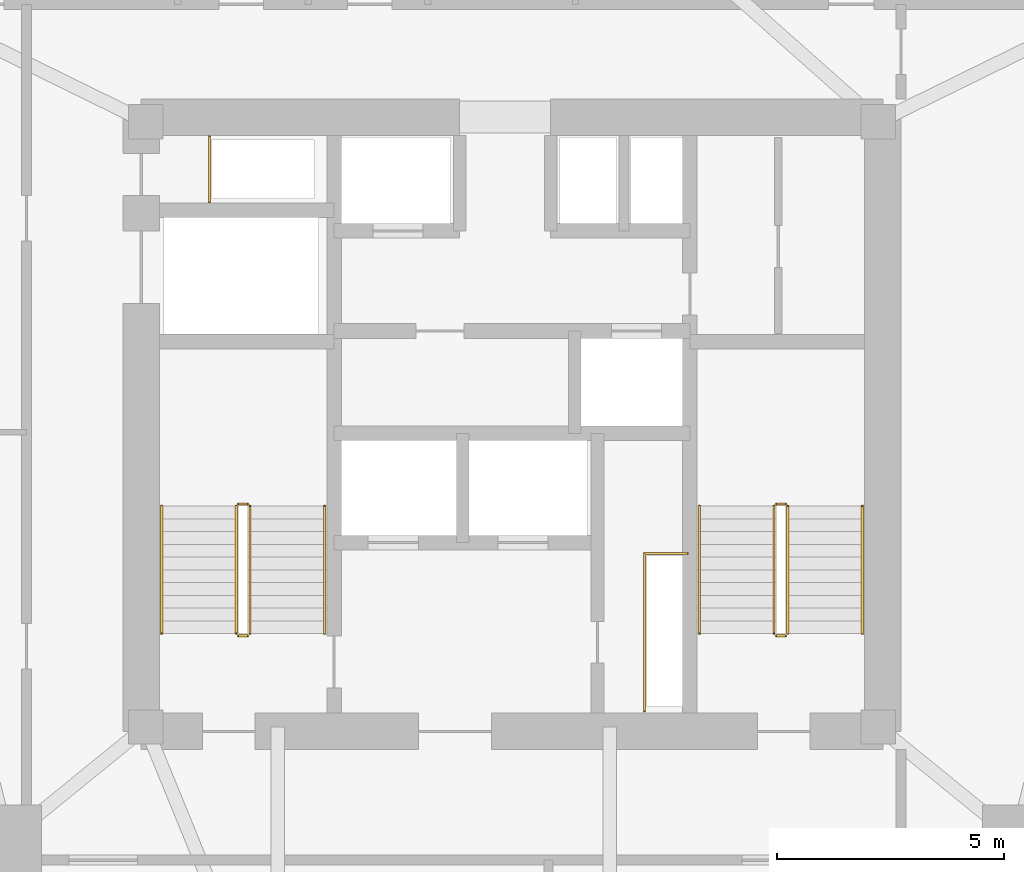
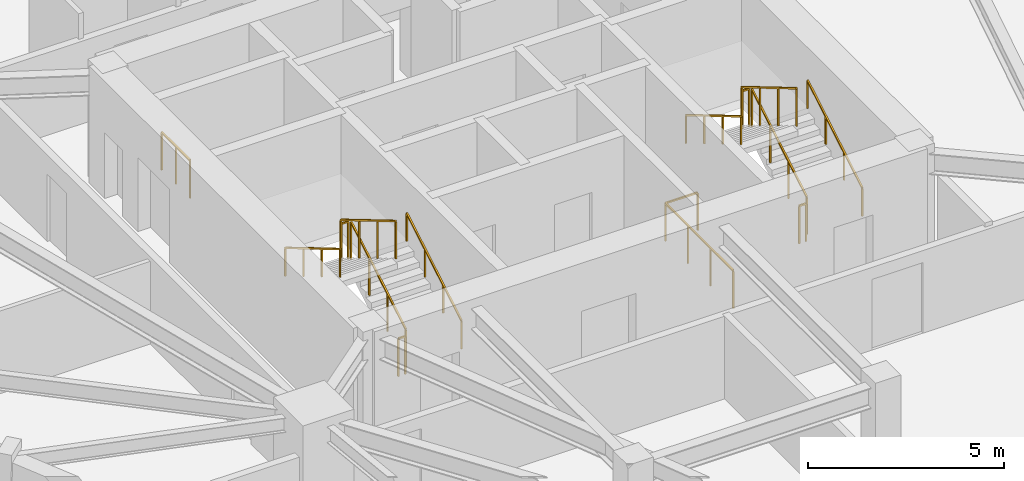
# One storey, part 14 of 14: 14 railings.
"""IFC4 building model written with IfcOpenShell, lengths in metres."""

from ifc_helpers import new_model, si_unit, direction, frame, origin, origin_2d, place, context, subcontext, project, spatial, rectangle, extrude, material, type_object, element, save


model = new_model("IFC4")

# Units and contexts
model_context = context("Model", 3, precision=1e-05, world=origin(), true_north=direction((0.0, 1.0)))
body_context = subcontext(model_context, "Body", "Model", "MODEL_VIEW")
ifc_project = project(units=[si_unit("LENGTHUNIT", "METRE"), si_unit("AREAUNIT", "SQUARE_METRE"), si_unit("VOLUMEUNIT", "CUBIC_METRE"), si_unit("PLANEANGLEUNIT", "RADIAN"), si_unit("MASSUNIT", "GRAM", prefix="KILO")], contexts=[model_context])

# Site, building, storey
site_placement = place(None, origin())
site = spatial("IfcSite", under=ifc_project, at=site_placement, CompositionType="ELEMENT")
building_placement = place(site_placement, origin())
building = spatial("IfcBuilding", under=site, at=building_placement, Name="Talyreon Biosciences Tower", CompositionType="ELEMENT")
storey_placement = place(building_placement, frame((0.0, 0.0, 130.85009765625)))
storey = spatial("IfcBuildingStorey", under=building, at=storey_placement, Name="L34", CompositionType="ELEMENT", Elevation=130.85009765625)

# Railings
ifc_material_1 = material(Name="Brushed stainless-steel tubular handrail", Category="steel")
railing_type_1 = type_object("IfcRailingType", Name="StairWallHandrail_900", PredefinedType="HANDRAIL", material=ifc_material_1)
railing_1_placement = place(storey_placement, frame((61.8798828125, 63.39990234375, 0.165771484375)))
element("IfcRailing", 1, at=railing_1_placement, inside=storey, type_object=railing_type_1, Name="L34 ST-1 stair handrail 1", PredefinedType="HANDRAIL", context=body_context, shape_type="SweptSolid", body=[
    extrude(rectangle(XDim=0.048095703125, YDim=0.048095703125, at=origin_2d()), frame((0.0, 0.0, 0.8759765625), z_axis=(0.0, 0.860306154799, 0.50977771628), x_axis=(-1.0, 0.0, 0.0)), (0.0, 0.0, 1.0), 3.254638671875),
    extrude(rectangle(XDim=0.0419921875, YDim=0.0419921875, at=origin_2d()), origin(), (0.0, 0.0, 1.0), 0.851806640625),
    extrude(rectangle(XDim=0.0419921875, YDim=0.0419921875, at=origin_2d()), frame((0.0, 0.933349609375, 0.552978515625)), (0.0, 0.0, 1.0), 0.851806640625),
    extrude(rectangle(XDim=0.0419921875, YDim=0.0419921875, at=origin_2d()), frame((0.0, 1.86669921875, 1.106201171875)), (0.0, 0.0, 1.0), 0.851806640625),
    extrude(rectangle(XDim=0.0419921875, YDim=0.0419921875, at=origin_2d()), frame((0.0, 2.800048828125, 1.6591796875)), (0.0, 0.0, 1.0), 0.851806640625),
])
railing_2_placement = place(storey_placement, frame((58.300048828125, 66.199951171875, 1.99072265625)))
element("IfcRailing", 2, at=railing_2_placement, inside=storey, type_object=railing_type_1, Name="L34 ST-1 stair handrail 2", PredefinedType="HANDRAIL", context=body_context, shape_type="SweptSolid", body=[
    extrude(rectangle(XDim=0.048095703125, YDim=0.048095703125, at=origin_2d()), frame((0.0, 0.0, 0.8759765625), z_axis=(0.0, -0.860306154799, 0.50977771628), x_axis=(1.0, 0.0, 0.0)), (0.0, 0.0, 1.0), 3.254638671875),
    extrude(rectangle(XDim=0.0419921875, YDim=0.0419921875, at=origin_2d()), origin(), (0.0, 0.0, 1.0), 0.851806640625),
    extrude(rectangle(XDim=0.0419921875, YDim=0.0419921875, at=origin_2d()), frame((0.0, -0.933349609375, 0.552978515625)), (0.0, 0.0, 1.0), 0.851806640625),
    extrude(rectangle(XDim=0.0419921875, YDim=0.0419921875, at=origin_2d()), frame((0.0, -1.86669921875, 1.106201171875)), (0.0, 0.0, 1.0), 0.851806640625),
    extrude(rectangle(XDim=0.0419921875, YDim=0.0419921875, at=origin_2d()), frame((0.0, -2.800048828125, 1.6591796875)), (0.0, 0.0, 1.0), 0.851806640625),
])
railing_3_placement = place(storey_placement, frame((73.699951171875, 63.39990234375, 0.165771484375)))
element("IfcRailing", 3, at=railing_3_placement, inside=storey, type_object=railing_type_1, Name="L34 ST-2 stair handrail 1", PredefinedType="HANDRAIL", context=body_context, shape_type="SweptSolid", body=[
    extrude(rectangle(XDim=0.048095703125, YDim=0.048095703125, at=origin_2d()), frame((0.0, 0.0, 0.8759765625), z_axis=(0.0, 0.860306154799, 0.50977771628), x_axis=(-1.0, 0.0, 0.0)), (0.0, 0.0, 1.0), 3.254638671875),
    extrude(rectangle(XDim=0.0419921875, YDim=0.0419921875, at=origin_2d()), origin(), (0.0, 0.0, 1.0), 0.851806640625),
    extrude(rectangle(XDim=0.0419921875, YDim=0.0419921875, at=origin_2d()), frame((0.0, 0.933349609375, 0.552978515625)), (0.0, 0.0, 1.0), 0.851806640625),
    extrude(rectangle(XDim=0.0419921875, YDim=0.0419921875, at=origin_2d()), frame((0.0, 1.86669921875, 1.106201171875)), (0.0, 0.0, 1.0), 0.851806640625),
    extrude(rectangle(XDim=0.0419921875, YDim=0.0419921875, at=origin_2d()), frame((0.0, 2.800048828125, 1.6591796875)), (0.0, 0.0, 1.0), 0.851806640625),
])
railing_4_placement = place(storey_placement, frame((70.1201171875, 66.199951171875, 1.99072265625)))
element("IfcRailing", 4, at=railing_4_placement, inside=storey, type_object=railing_type_1, Name="L34 ST-2 stair handrail 2", PredefinedType="HANDRAIL", context=body_context, shape_type="SweptSolid", body=[
    extrude(rectangle(XDim=0.048095703125, YDim=0.048095703125, at=origin_2d()), frame((0.0, 0.0, 0.8759765625), z_axis=(0.0, -0.860306154799, 0.50977771628), x_axis=(1.0, 0.0, 0.0)), (0.0, 0.0, 1.0), 3.254638671875),
    extrude(rectangle(XDim=0.0419921875, YDim=0.0419921875, at=origin_2d()), origin(), (0.0, 0.0, 1.0), 0.851806640625),
    extrude(rectangle(XDim=0.0419921875, YDim=0.0419921875, at=origin_2d()), frame((0.0, -0.933349609375, 0.552978515625)), (0.0, 0.0, 1.0), 0.851806640625),
    extrude(rectangle(XDim=0.0419921875, YDim=0.0419921875, at=origin_2d()), frame((0.0, -1.86669921875, 1.106201171875)), (0.0, 0.0, 1.0), 0.851806640625),
    extrude(rectangle(XDim=0.0419921875, YDim=0.0419921875, at=origin_2d()), frame((0.0, -2.800048828125, 1.6591796875)), (0.0, 0.0, 1.0), 0.851806640625),
])
ifc_material_2 = material(Name="Painted galvanised steel post-and-rail balustrade", Category="steel")
railing_type_2 = type_object("IfcRailingType", Name="TerraceStairGuard_1200", PredefinedType="GUARDRAIL", material=ifc_material_2)
railing_5_placement = place(storey_placement, frame((60.239990234375, 63.39990234375, 0.165771484375)))
element("IfcRailing", 5, at=railing_5_placement, inside=storey, type_object=railing_type_2, Name="L34 ST-1 stair guard 1", PredefinedType="GUARDRAIL", context=body_context, shape_type="SweptSolid", body=[
    extrude(rectangle(XDim=0.048095703125, YDim=0.048095703125, at=origin_2d()), frame((0.0, 0.0, 1.17578125), z_axis=(0.0, 0.860306154799, 0.50977771628), x_axis=(-1.0, 0.0, 0.0)), (0.0, 0.0, 1.0), 3.254638671875),
    extrude(rectangle(XDim=0.0419921875, YDim=0.0419921875, at=origin_2d()), origin(), (0.0, 0.0, 1.0), 1.15185546875),
    extrude(rectangle(XDim=0.0419921875, YDim=0.0419921875, at=origin_2d()), frame((0.0, 0.933349609375, 0.552978515625)), (0.0, 0.0, 1.0), 1.15185546875),
    extrude(rectangle(XDim=0.0419921875, YDim=0.0419921875, at=origin_2d()), frame((0.0, 1.86669921875, 1.106201171875)), (0.0, 0.0, 1.0), 1.15185546875),
    extrude(rectangle(XDim=0.0419921875, YDim=0.0419921875, at=origin_2d()), frame((0.0, 2.800048828125, 1.6591796875)), (0.0, 0.0, 1.0), 1.15185546875),
])
railing_6_placement = place(storey_placement, frame((60.18994140625, 66.25, 1.824951171875)))
element("IfcRailing", 6, at=railing_6_placement, inside=storey, type_object=railing_type_2, Name="L34 ST-1 stair guard 2", PredefinedType="GUARDRAIL", context=body_context, shape_type="SweptSolid", body=[
    extrude(rectangle(XDim=0.048095703125, YDim=0.048095703125, at=origin_2d()), frame((0.0, 0.0, 1.17578125), z_axis=(-1.0, 0.0, 0.0), x_axis=(0.0, -1.0, 0.0)), (0.0, 0.0, 1.0), 0.199951171875),
    extrude(rectangle(XDim=0.0419921875, YDim=0.0419921875, at=origin_2d()), origin(), (0.0, 0.0, 1.0), 1.15185546875),
    extrude(rectangle(XDim=0.0419921875, YDim=0.0419921875, at=origin_2d()), frame((-0.199951171875, 0.0, 0.0)), (0.0, 0.0, 1.0), 1.15185546875),
])
railing_7_placement = place(storey_placement, frame((59.93994140625, 66.199951171875, 1.99072265625)))
element("IfcRailing", 7, at=railing_7_placement, inside=storey, type_object=railing_type_2, Name="L34 ST-1 stair guard 3", PredefinedType="GUARDRAIL", context=body_context, shape_type="SweptSolid", body=[
    extrude(rectangle(XDim=0.048095703125, YDim=0.048095703125, at=origin_2d()), frame((0.0, 0.0, 1.17578125), z_axis=(0.0, -0.860306154799, 0.50977771628), x_axis=(1.0, 0.0, 0.0)), (0.0, 0.0, 1.0), 3.254638671875),
    extrude(rectangle(XDim=0.0419921875, YDim=0.0419921875, at=origin_2d()), origin(), (0.0, 0.0, 1.0), 1.15185546875),
    extrude(rectangle(XDim=0.0419921875, YDim=0.0419921875, at=origin_2d()), frame((0.0, -0.933349609375, 0.552978515625)), (0.0, 0.0, 1.0), 1.15185546875),
    extrude(rectangle(XDim=0.0419921875, YDim=0.0419921875, at=origin_2d()), frame((0.0, -1.86669921875, 1.106201171875)), (0.0, 0.0, 1.0), 1.15185546875),
    extrude(rectangle(XDim=0.0419921875, YDim=0.0419921875, at=origin_2d()), frame((0.0, -2.800048828125, 1.6591796875)), (0.0, 0.0, 1.0), 1.15185546875),
])
railing_8_placement = place(storey_placement, frame((60.18994140625, 63.35009765625, 0.0)))
element("IfcRailing", 8, at=railing_8_placement, inside=storey, type_object=railing_type_2, Name="L34 ST-1 stair guard 4", PredefinedType="GUARDRAIL", context=body_context, shape_type="SweptSolid", body=[
    extrude(rectangle(XDim=0.048095703125, YDim=0.048095703125, at=origin_2d()), frame((0.0, 0.0, 1.17578125), z_axis=(-1.0, 0.0, 0.0), x_axis=(0.0, -1.0, 0.0)), (0.0, 0.0, 1.0), 0.199951171875),
    extrude(rectangle(XDim=0.0419921875, YDim=0.0419921875, at=origin_2d()), origin(), (0.0, 0.0, 1.0), 1.15185546875),
    extrude(rectangle(XDim=0.0419921875, YDim=0.0419921875, at=origin_2d()), frame((-0.199951171875, 0.0, 0.0)), (0.0, 0.0, 1.0), 1.15185546875),
])
railing_9_placement = place(storey_placement, frame((72.06005859375, 63.39990234375, 0.165771484375)))
element("IfcRailing", 9, at=railing_9_placement, inside=storey, type_object=railing_type_2, Name="L34 ST-2 stair guard 1", PredefinedType="GUARDRAIL", context=body_context, shape_type="SweptSolid", body=[
    extrude(rectangle(XDim=0.048095703125, YDim=0.048095703125, at=origin_2d()), frame((0.0, 0.0, 1.17578125), z_axis=(0.0, 0.860306154799, 0.50977771628), x_axis=(-1.0, 0.0, 0.0)), (0.0, 0.0, 1.0), 3.254638671875),
    extrude(rectangle(XDim=0.0419921875, YDim=0.0419921875, at=origin_2d()), origin(), (0.0, 0.0, 1.0), 1.15185546875),
    extrude(rectangle(XDim=0.0419921875, YDim=0.0419921875, at=origin_2d()), frame((0.0, 0.933349609375, 0.552978515625)), (0.0, 0.0, 1.0), 1.15185546875),
    extrude(rectangle(XDim=0.0419921875, YDim=0.0419921875, at=origin_2d()), frame((0.0, 1.86669921875, 1.106201171875)), (0.0, 0.0, 1.0), 1.15185546875),
    extrude(rectangle(XDim=0.0419921875, YDim=0.0419921875, at=origin_2d()), frame((0.0, 2.800048828125, 1.6591796875)), (0.0, 0.0, 1.0), 1.15185546875),
])
railing_10_placement = place(storey_placement, frame((72.010009765625, 66.25, 1.824951171875)))
element("IfcRailing", 10, at=railing_10_placement, inside=storey, type_object=railing_type_2, Name="L34 ST-2 stair guard 2", PredefinedType="GUARDRAIL", context=body_context, shape_type="SweptSolid", body=[
    extrude(rectangle(XDim=0.048095703125, YDim=0.048095703125, at=origin_2d()), frame((0.0, 0.0, 1.17578125), z_axis=(-1.0, 0.0, 0.0), x_axis=(0.0, -1.0, 0.0)), (0.0, 0.0, 1.0), 0.199951171875),
    extrude(rectangle(XDim=0.0419921875, YDim=0.0419921875, at=origin_2d()), origin(), (0.0, 0.0, 1.0), 1.15185546875),
    extrude(rectangle(XDim=0.0419921875, YDim=0.0419921875, at=origin_2d()), frame((-0.199951171875, 0.0, 0.0)), (0.0, 0.0, 1.0), 1.15185546875),
])
railing_11_placement = place(storey_placement, frame((71.760009765625, 66.199951171875, 1.99072265625)))
element("IfcRailing", 11, at=railing_11_placement, inside=storey, type_object=railing_type_2, Name="L34 ST-2 stair guard 3", PredefinedType="GUARDRAIL", context=body_context, shape_type="SweptSolid", body=[
    extrude(rectangle(XDim=0.048095703125, YDim=0.048095703125, at=origin_2d()), frame((0.0, 0.0, 1.17578125), z_axis=(0.0, -0.860306154799, 0.50977771628), x_axis=(1.0, 0.0, 0.0)), (0.0, 0.0, 1.0), 3.254638671875),
    extrude(rectangle(XDim=0.0419921875, YDim=0.0419921875, at=origin_2d()), origin(), (0.0, 0.0, 1.0), 1.15185546875),
    extrude(rectangle(XDim=0.0419921875, YDim=0.0419921875, at=origin_2d()), frame((0.0, -0.933349609375, 0.552978515625)), (0.0, 0.0, 1.0), 1.15185546875),
    extrude(rectangle(XDim=0.0419921875, YDim=0.0419921875, at=origin_2d()), frame((0.0, -1.86669921875, 1.106201171875)), (0.0, 0.0, 1.0), 1.15185546875),
    extrude(rectangle(XDim=0.0419921875, YDim=0.0419921875, at=origin_2d()), frame((0.0, -2.800048828125, 1.6591796875)), (0.0, 0.0, 1.0), 1.15185546875),
])
railing_12_placement = place(storey_placement, frame((72.010009765625, 63.35009765625, 0.0)))
element("IfcRailing", 12, at=railing_12_placement, inside=storey, type_object=railing_type_2, Name="L34 ST-2 stair guard 4", PredefinedType="GUARDRAIL", context=body_context, shape_type="SweptSolid", body=[
    extrude(rectangle(XDim=0.048095703125, YDim=0.048095703125, at=origin_2d()), frame((0.0, 0.0, 1.17578125), z_axis=(-1.0, 0.0, 0.0), x_axis=(0.0, -1.0, 0.0)), (0.0, 0.0, 1.0), 0.199951171875),
    extrude(rectangle(XDim=0.0419921875, YDim=0.0419921875, at=origin_2d()), origin(), (0.0, 0.0, 1.0), 1.15185546875),
    extrude(rectangle(XDim=0.0419921875, YDim=0.0419921875, at=origin_2d()), frame((-0.199951171875, 0.0, 0.0)), (0.0, 0.0, 1.0), 1.15185546875),
])
railing_13_placement = place(storey_placement, frame((59.35009765625, 72.8798828125, 0.0)))
element("IfcRailing", 13, at=railing_13_placement, inside=storey, type_object=railing_type_2, Name="L34 Exhaust Riser Maintenance Guardrail", PredefinedType="GUARDRAIL", context=body_context, shape_type="SweptSolid", body=[
    extrude(rectangle(XDim=0.048095703125, YDim=0.048095703125, at=origin_2d()), frame((0.0, 0.0, 1.17578125), z_axis=(0.0, 1.0, 0.0), x_axis=(-1.0, 0.0, 0.0)), (0.0, 0.0, 1.0), 1.4501953125),
    extrude(rectangle(XDim=0.0419921875, YDim=0.0419921875, at=origin_2d()), origin(), (0.0, 0.0, 1.0), 1.15185546875),
    extrude(rectangle(XDim=0.0419921875, YDim=0.0419921875, at=origin_2d()), frame((0.0, 0.72509765625, 0.0)), (0.0, 0.0, 1.0), 1.15185546875),
    extrude(rectangle(XDim=0.0419921875, YDim=0.0419921875, at=origin_2d()), frame((0.0, 1.4501953125, 0.0)), (0.0, 0.0, 1.0), 1.15185546875),
])
railing_14_placement = place(storey_placement, frame((68.909912109375, 61.699951171875, 0.0)))
element("IfcRailing", 14, at=railing_14_placement, inside=storey, type_object=railing_type_2, Name="L34 Electrical Riser Maintenance Guardrail", PredefinedType="GUARDRAIL", context=body_context, shape_type="SweptSolid", body=[
    extrude(rectangle(XDim=0.048095703125, YDim=0.048095703125, at=origin_2d()), frame((0.0, 0.0, 1.17578125), z_axis=(0.0, 1.0, 0.0), x_axis=(-1.0, 0.0, 0.0)), (0.0, 0.0, 1.0), 3.4599609375),
    extrude(rectangle(XDim=0.048095703125, YDim=0.048095703125, at=origin_2d()), frame((0.0, 3.4599609375, 1.17578125), z_axis=(1.0, 0.0, 0.0), x_axis=(0.0, 1.0, 0.0)), (0.0, 0.0, 1.0), 0.9501953125),
    extrude(rectangle(XDim=0.0419921875, YDim=0.0419921875, at=origin_2d()), origin(), (0.0, 0.0, 1.0), 1.15185546875),
    extrude(rectangle(XDim=0.0419921875, YDim=0.0419921875, at=origin_2d()), frame((0.0, 1.1533203125, 0.0)), (0.0, 0.0, 1.0), 1.15185546875),
    extrude(rectangle(XDim=0.0419921875, YDim=0.0419921875, at=origin_2d()), frame((0.0, 2.306640625, 0.0)), (0.0, 0.0, 1.0), 1.15185546875),
    extrude(rectangle(XDim=0.0419921875, YDim=0.0419921875, at=origin_2d()), frame((0.0, 3.4599609375, 0.0)), (0.0, 0.0, 1.0), 1.15185546875),
    extrude(rectangle(XDim=0.0419921875, YDim=0.0419921875, at=origin_2d()), frame((0.9501953125, 3.4599609375, 0.0)), (0.0, 0.0, 1.0), 1.15185546875),
])

save(model, "model.ifc")
